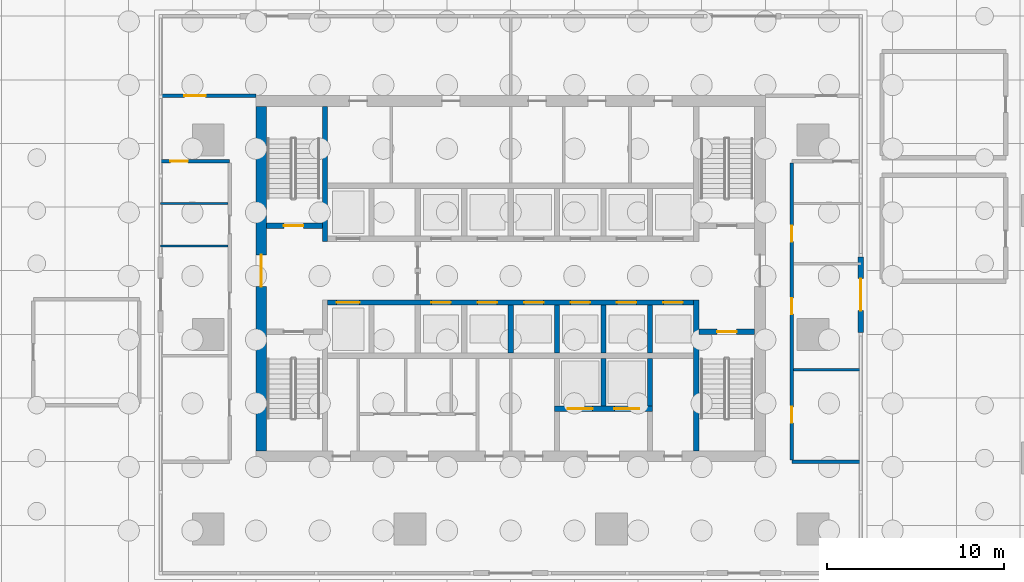
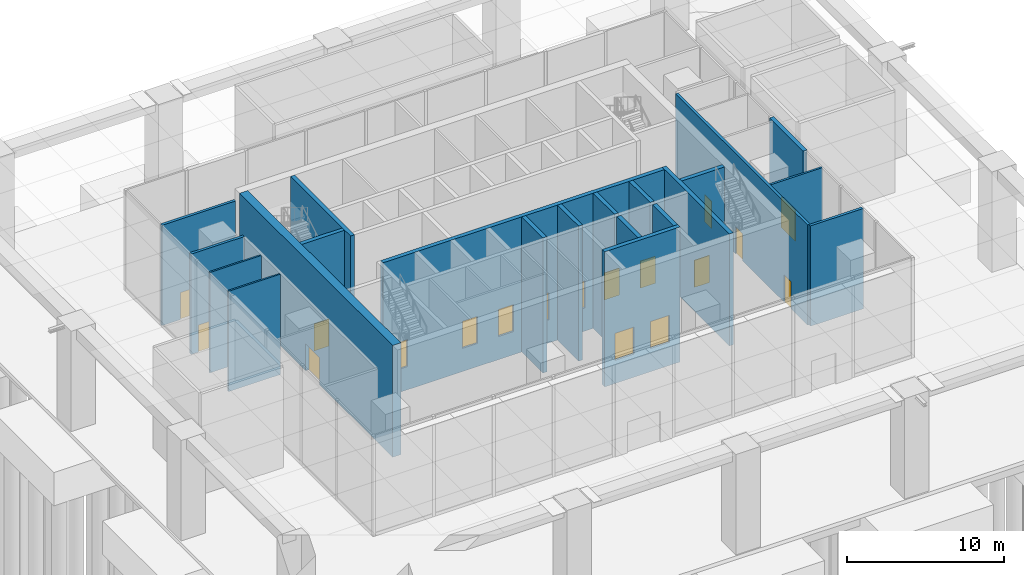
# One storey, part 7 of 18: 21 walls, 18 doors, 18 openings.
"""IFC4 building model written with IfcOpenShell, lengths in metres."""

from ifc_helpers import new_model, si_unit, direction, frame, frame_2d, origin, place, context, subcontext, project, spatial, rectangle, extrude, material, layer, layer_set, type_object, element, fill, save


model = new_model("IFC4")

# Units and contexts
model_context = context("Model", 3, precision=1e-05, world=origin(), true_north=direction((0.0, 1.0)))
body_context = subcontext(model_context, "Body", "Model", "MODEL_VIEW")
ifc_project = project(units=[si_unit("LENGTHUNIT", "METRE"), si_unit("AREAUNIT", "SQUARE_METRE"), si_unit("VOLUMEUNIT", "CUBIC_METRE"), si_unit("PLANEANGLEUNIT", "RADIAN"), si_unit("MASSUNIT", "GRAM", prefix="KILO")], contexts=[model_context])

# Site, building, storey
site_placement = place(None, origin())
site = spatial("IfcSite", under=ifc_project, at=site_placement, CompositionType="ELEMENT")
building_placement = place(site_placement, origin())
building = spatial("IfcBuilding", under=site, at=building_placement, Name="Mopane Tessera Tower", CompositionType="ELEMENT")
storey_placement = place(building_placement, origin())
storey = spatial("IfcBuildingStorey", under=building, at=storey_placement, Name="L00", CompositionType="ELEMENT", Elevation=0.0)

# Wall, opening, door
ifc_material_1 = material(Name="Concrete C70/85", Category="concrete")
ifc_layer_1 = layer(ifc_material_1, 0.60009765625)
ifc_layer_set_1 = layer_set([ifc_layer_1], Name="Concrete C70/85")
wall_type_1 = type_object("IfcWallType", Name="Core shear wall 600 mm", PredefinedType="SHEAR", material=ifc_layer_set_1)
wall_1_placement = place(storey_placement, frame((-14.10009765625, -6.60009765625, 0.0), z_axis=(0.0, 0.0, 1.0), x_axis=(0.0, 1.0, 0.0)))
wall_1 = element("IfcWall", 1, at=wall_1_placement, inside=storey, type_object=wall_type_1, Name="L00 Core wall west", PredefinedType="SHEAR", context=body_context, shape_type="SweptSolid", body=[
    extrude(rectangle(XDim=19.5, YDim=0.60009765625, at=frame_2d((9.75, 0.0))), origin(), (0.0, 0.0, 1.0), 8.699951171875),
])
opening_1_placement = place(wall_1_placement, frame((9.300048828125, 0.0, 0.0)))
opening_1 = element("IfcOpeningElement", 2, at=opening_1_placement, cuts=wall_1, Name="Opening SD2", PredefinedType="OPENING", context=body_context, shape_type="SweptSolid", body=[
    extrude(rectangle(XDim=1.800048828125, YDim=2.10009765625, at=frame_2d((0.89990234375, 1.050048828125))), frame((0.0, 0.31201171875, 0.0), z_axis=(0.0, -1.0, 0.0), x_axis=(1.0, 0.0, 0.0)), (0.0, 0.0, 1.0), 0.6240234375),
])
ifc_material_2 = material(Name="Steel fire door", Category="steel")
door_type_1 = type_object("IfcDoorType", Name="Core entrance double door 1800 x 2100", OperationType="DOUBLE_DOOR_SINGLE_SWING", PredefinedType="DOOR", material=ifc_material_2)
door_1_placement = place(opening_1_placement, origin())
door_1 = element("IfcDoor", 3, at=door_1_placement, inside=storey, type_object=door_type_1, Name="L00 Core entrance door west", OperationType="DOUBLE_DOOR_SINGLE_SWING", OverallHeight=2.10009765625, OverallWidth=1.800048828125, PredefinedType="DOOR", context=body_context, shape_type="SweptSolid", body=[
    extrude(rectangle(XDim=1.800048828125, YDim=2.10009765625, at=frame_2d((0.89990234375, 1.050048828125))), frame((0.0, 0.02490234375, 0.0), z_axis=(0.0, -1.0, 0.0), x_axis=(1.0, 0.0, 0.0)), (0.0, 0.0, 1.0), 0.050048828125),
])
fill(opening_1, door_1)

# Walls
ifc_material_3 = material(Name="Concrete C60/75", Category="concrete")
ifc_layer_2 = layer(ifc_material_3, 0.300048828125)
ifc_layer_set_2 = layer_set([ifc_layer_2], Name="Concrete C60/75")
wall_type_2 = type_object("IfcWallType", Name="Core spine wall 300 mm", PredefinedType="SHEAR", material=ifc_layer_set_2)
wall_2_placement = place(storey_placement, frame((-10.5, 5.25, 0.0), z_axis=(0.0, 0.0, 1.0), x_axis=(0.0, 1.0, 0.0)))
element("IfcWall", 4, at=wall_2_placement, inside=storey, type_object=wall_type_2, Name="L00 Core spine wall", PredefinedType="SHEAR", context=body_context, shape_type="SweptSolid", body=[
    extrude(rectangle(XDim=7.64990234375, YDim=0.300048828125, at=frame_2d((3.824951171875, 0.0))), origin(), (0.0, 0.0, 1.0), 8.699951171875),
])
wall_3_placement = place(storey_placement, frame((10.5, -6.60009765625, 0.0), z_axis=(0.0, 0.0, 1.0), x_axis=(0.0, 1.0, 0.0)))
element("IfcWall", 5, at=wall_3_placement, inside=storey, type_object=wall_type_2, Name="L00 Core spine wall", PredefinedType="SHEAR", context=body_context, shape_type="SweptSolid", body=[
    extrude(rectangle(XDim=8.550048828125, YDim=0.300048828125, at=frame_2d((4.27490234375, 0.0))), origin(), (0.0, 0.0, 1.0), 8.699951171875),
])
ifc_material_4 = material(Name="Gypsum board on steel studs, two layers each face, mineral wool infill", Category="steel")
ifc_layer_3 = layer(ifc_material_4, 0.199951171875)
ifc_layer_set_3 = layer_set([ifc_layer_3], Name="Gypsum board on steel studs, two layers each face, mineral wool infill")
wall_type_3 = type_object("IfcWallType", Name="Gypsum board corridor wall 200, rated EI 60", PredefinedType="PARTITIONING", material=ifc_layer_set_3)
wall_4_placement = place(storey_placement, frame((15.89990234375, -7.199951171875, 0.0), z_axis=(0.0, 0.0, 1.0), x_axis=(1.0, 0.0, 0.0)))
element("IfcWall", 6, at=wall_4_placement, inside=storey, type_object=wall_type_3, Name="Partition L00:001", PredefinedType="PARTITIONING", context=body_context, shape_type="SweptSolid", body=[
    extrude(rectangle(XDim=3.900146484375, YDim=0.199951171875, at=frame_2d((1.9501953125, 0.0))), origin(), (0.0, 0.0, 1.0), 7.800048828125),
])

# Wall, opening, door
wall_5_placement = place(storey_placement, frame((-19.800048828125, 9.800048828125, 0.0), z_axis=(0.0, 0.0, 1.0), x_axis=(1.0, 0.0, 0.0)))
wall_5 = element("IfcWall", 7, at=wall_5_placement, inside=storey, type_object=wall_type_3, Name="Partition L00:012", PredefinedType="PARTITIONING", context=body_context, shape_type="SweptSolid", body=[
    extrude(rectangle(XDim=3.900146484375, YDim=0.199951171875, at=frame_2d((1.9501953125, 0.0))), origin(), (0.0, 0.0, 1.0), 7.800048828125),
])
opening_2_placement = place(wall_5_placement, frame((0.550048828125, 0.0, 0.0)))
opening_2 = element("IfcOpeningElement", 8, at=opening_2_placement, cuts=wall_5, Name="Opening L00-02", PredefinedType="OPENING", context=body_context, shape_type="SweptSolid", body=[
    extrude(rectangle(XDim=1.0, YDim=2.10009765625, at=frame_2d((0.5, 1.050048828125))), frame((0.0, 0.112060546875, 0.0), z_axis=(0.0, -1.0, 0.0), x_axis=(1.0, 0.0, 0.0)), (0.0, 0.0, 1.0), 0.223876953125),
])
ifc_material_5 = material(Name="Timber veneered steel-framed fire door", Category="steel")
door_type_2 = type_object("IfcDoorType", Name="Fire door FD60 1000 x 2100", OperationType="SINGLE_SWING_LEFT", PredefinedType="DOOR", material=ifc_material_5)
door_2_placement = place(opening_2_placement, origin())
door_2 = element("IfcDoor", 9, at=door_2_placement, inside=storey, type_object=door_type_2, Name="Door L00-02", ObjectType="D12A", OperationType="SINGLE_SWING_RIGHT", OverallHeight=2.10009765625, OverallWidth=1.0, PredefinedType="DOOR", context=body_context, shape_type="SweptSolid", body=[
    extrude(rectangle(XDim=1.0, YDim=2.10009765625, at=frame_2d((0.5, 1.050048828125))), frame((0.0, 0.02490234375, 0.0), z_axis=(0.0, -1.0, 0.0), x_axis=(1.0, 0.0, 0.0)), (0.0, 0.0, 1.0), 0.050048828125),
])
fill(opening_2, door_2)

wall_6_placement = place(storey_placement, frame((-19.800048828125, 13.5, 0.0), z_axis=(0.0, 0.0, 1.0), x_axis=(1.0, 0.0, 0.0)))
wall_6 = element("IfcWall", 10, at=wall_6_placement, inside=storey, type_object=wall_type_3, Name="Partition L00:015", PredefinedType="PARTITIONING", context=body_context, shape_type="SweptSolid", body=[
    extrude(rectangle(XDim=5.400146484375, YDim=0.199951171875, at=frame_2d((2.7001953125, 0.0))), origin(), (0.0, 0.0, 1.0), 7.800048828125),
])
opening_3_placement = place(wall_6_placement, frame((1.35009765625, 0.0, 0.0)))
opening_3 = element("IfcOpeningElement", 11, at=opening_3_placement, cuts=wall_6, Name="Opening L00-12", PredefinedType="OPENING", context=body_context, shape_type="SweptSolid", body=[
    extrude(rectangle(XDim=1.199951171875, YDim=2.10009765625, at=frame_2d((0.60009765625, 1.050048828125))), frame((0.0, 0.112060546875, 0.0), z_axis=(0.0, -1.0, 0.0), x_axis=(1.0, 0.0, 0.0)), (0.0, 0.0, 1.0), 0.223876953125),
])
ifc_material_6 = material(Name="Timber veneered steel-framed fire door", Category="steel")
door_type_3 = type_object("IfcDoorType", Name="Fire door FD60 1200 x 2100", OperationType="SINGLE_SWING_LEFT", PredefinedType="DOOR", material=ifc_material_6)
door_3_placement = place(opening_3_placement, origin())
door_3 = element("IfcDoor", 12, at=door_3_placement, inside=storey, type_object=door_type_3, Name="Door L00-12", ObjectType="D15A", OperationType="SINGLE_SWING_LEFT", OverallHeight=2.10009765625, OverallWidth=1.199951171875, PredefinedType="DOOR", context=body_context, shape_type="SweptSolid", body=[
    extrude(rectangle(XDim=1.199951171875, YDim=2.10009765625, at=frame_2d((0.60009765625, 1.050048828125))), frame((0.0, 0.02490234375, 0.0), z_axis=(0.0, -1.0, 0.0), x_axis=(1.0, 0.0, 0.0)), (0.0, 0.0, 1.0), 0.050048828125),
])
fill(opening_3, door_3)

# Wall, openings, doors
wall_7_placement = place(storey_placement, frame((15.89990234375, -7.10009765625, 0.0), z_axis=(0.0, 0.0, 1.0), x_axis=(0.0, 1.0, 0.0)))
wall_7 = element("IfcWall", 13, at=wall_7_placement, inside=storey, type_object=wall_type_3, Name="Partition L00:026", PredefinedType="PARTITIONING", context=body_context, shape_type="SweptSolid", body=[
    extrude(rectangle(XDim=16.800048828125, YDim=0.199951171875, at=frame_2d((8.39990234375, 0.0))), origin(), (0.0, 0.0, 1.0), 7.800048828125),
])
opening_4_placement = place(wall_7_placement, frame((8.25, 0.0, 0.0)))
opening_4 = element("IfcOpeningElement", 14, at=opening_4_placement, cuts=wall_7, Name="Opening L00-04", PredefinedType="OPENING", context=body_context, shape_type="SweptSolid", body=[
    extrude(rectangle(XDim=0.89990234375, YDim=2.10009765625, at=frame_2d((0.449951171875, 1.050048828125))), frame((0.0, 0.112060546875, 0.0), z_axis=(0.0, -1.0, 0.0), x_axis=(1.0, 0.0, 0.0)), (0.0, 0.0, 1.0), 0.223876953125),
])
opening_5_placement = place(wall_7_placement, frame((2.10009765625, 0.0, 0.0)))
opening_5 = element("IfcOpeningElement", 15, at=opening_5_placement, cuts=wall_7, Name="Opening L00-05", PredefinedType="OPENING", context=body_context, shape_type="SweptSolid", body=[
    extrude(rectangle(XDim=0.89990234375, YDim=2.10009765625, at=frame_2d((0.449951171875, 1.050048828125))), frame((0.0, 0.112060546875, 0.0), z_axis=(0.0, -1.0, 0.0), x_axis=(1.0, 0.0, 0.0)), (0.0, 0.0, 1.0), 0.223876953125),
])
opening_6_placement = place(wall_7_placement, frame((12.35009765625, 0.0, 0.0)))
opening_6 = element("IfcOpeningElement", 16, at=opening_6_placement, cuts=wall_7, Name="Opening L00-14", PredefinedType="OPENING", context=body_context, shape_type="SweptSolid", body=[
    extrude(rectangle(XDim=0.89990234375, YDim=2.10009765625, at=frame_2d((0.449951171875, 1.050048828125))), frame((0.0, 0.112060546875, 0.0), z_axis=(0.0, -1.0, 0.0), x_axis=(1.0, 0.0, 0.0)), (0.0, 0.0, 1.0), 0.223876953125),
])
ifc_material_7 = material(Name="Timber veneered steel-framed fire door", Category="steel")
door_type_4 = type_object("IfcDoorType", Name="Fire door FD60 900 x 2100", OperationType="SINGLE_SWING_LEFT", PredefinedType="DOOR", material=ifc_material_7)
door_4_placement = place(opening_4_placement, origin())
door_4 = element("IfcDoor", 17, at=door_4_placement, inside=storey, type_object=door_type_4, Name="Door L00-04", ObjectType="D10A", OperationType="SINGLE_SWING_RIGHT", OverallHeight=2.10009765625, OverallWidth=0.89990234375, PredefinedType="DOOR", context=body_context, shape_type="SweptSolid", body=[
    extrude(rectangle(XDim=0.89990234375, YDim=2.10009765625, at=frame_2d((0.449951171875, 1.050048828125))), frame((0.0, 0.02490234375, 0.0), z_axis=(0.0, -1.0, 0.0), x_axis=(1.0, 0.0, 0.0)), (0.0, 0.0, 1.0), 0.050048828125),
])
fill(opening_4, door_4)
door_5_placement = place(opening_5_placement, origin())
door_5 = element("IfcDoor", 18, at=door_5_placement, inside=storey, type_object=door_type_4, Name="Door L00-05", ObjectType="D10A", OperationType="SINGLE_SWING_LEFT", OverallHeight=2.10009765625, OverallWidth=0.89990234375, PredefinedType="DOOR", context=body_context, shape_type="SweptSolid", body=[
    extrude(rectangle(XDim=0.89990234375, YDim=2.10009765625, at=frame_2d((0.449951171875, 1.050048828125))), frame((0.0, 0.02490234375, 0.0), z_axis=(0.0, -1.0, 0.0), x_axis=(1.0, 0.0, 0.0)), (0.0, 0.0, 1.0), 0.050048828125),
])
fill(opening_5, door_5)
door_6_placement = place(opening_6_placement, origin())
door_6 = element("IfcDoor", 19, at=door_6_placement, inside=storey, type_object=door_type_4, Name="Door L00-14", ObjectType="D10A", OperationType="SINGLE_SWING_RIGHT", OverallHeight=2.10009765625, OverallWidth=0.89990234375, PredefinedType="DOOR", context=body_context, shape_type="SweptSolid", body=[
    extrude(rectangle(XDim=0.89990234375, YDim=2.10009765625, at=frame_2d((0.449951171875, 1.050048828125))), frame((0.0, 0.02490234375, 0.0), z_axis=(0.0, -1.0, 0.0), x_axis=(1.0, 0.0, 0.0)), (0.0, 0.0, 1.0), 0.050048828125),
])
fill(opening_6, door_6)

# Walls
ifc_material_8 = material(Name="Gypsum board on steel studs, mineral wool infill", Category="steel")
ifc_layer_4 = layer(ifc_material_8, 0.14990234375)
ifc_layer_set_4 = layer_set([ifc_layer_4], Name="Gypsum board on steel studs, mineral wool infill")
wall_type_4 = type_object("IfcWallType", Name="Gypsum board partition 150, rated EI 60", PredefinedType="PARTITIONING", material=ifc_layer_set_4)
wall_8_placement = place(storey_placement, frame((16.0, -2.0, 0.0), z_axis=(0.0, 0.0, 1.0), x_axis=(1.0, 0.0, 0.0)))
element("IfcWall", 20, at=wall_8_placement, inside=storey, type_object=wall_type_4, Name="Partition L00:003", PredefinedType="PARTITIONING", context=body_context, shape_type="SweptSolid", body=[
    extrude(rectangle(XDim=3.800048828125, YDim=0.14990234375, at=frame_2d((1.89990234375, 0.0))), origin(), (0.0, 0.0, 1.0), 7.800048828125),
])
ifc_material_9 = material(Name="Moisture-resistant gypsum board on steel studs, mineral wool infill", Category="steel")
ifc_layer_5 = layer(ifc_material_9, 0.125)
ifc_layer_set_5 = layer_set([ifc_layer_5], Name="Moisture-resistant gypsum board on steel studs, mineral wool infill")
wall_type_5 = type_object("IfcWallType", Name="Gypsum board wet-area partition 125, rated EI 60", PredefinedType="PARTITIONING", material=ifc_layer_set_5)
for number, where, z_axis, x_axis, name in (
    (21, (-19.800048828125, 5.0, 0.0), (0.0, 0.0, 1.0), (1.0, 0.0, 0.0), "Partition L00:008"),
    (22, (-19.800048828125, 7.39990234375, 0.0), (0.0, 0.0, 1.0), (1.0, 0.0, 0.0), "Partition L00:009"),
):
    element("IfcWall", number, at=place(storey_placement, frame(where, z_axis=z_axis, x_axis=x_axis)), inside=storey, type_object=wall_type_5, Name=name, PredefinedType="PARTITIONING", context=body_context, shape_type="SweptSolid", body=[
        extrude(rectangle(XDim=3.800048828125, YDim=0.125, at=frame_2d((1.89990234375, 0.0))), origin(), (0.0, 0.0, 1.0), 7.800048828125),
    ])

# Wall, opening, door
ifc_material_10 = material(Name="Concrete C50/60", Category="concrete")
ifc_layer_6 = layer(ifc_material_10, 0.300048828125)
ifc_layer_set_6 = layer_set([ifc_layer_6], Name="Concrete C50/60")
wall_type_6 = type_object("IfcWallType", Name="Lift and stair shaft wall 300 mm", PredefinedType="SOLIDWALL", material=ifc_layer_set_6)
wall_9_placement = place(storey_placement, frame((-13.800048828125, 6.14990234375, 0.0), z_axis=(0.0, 0.0, 1.0), x_axis=(1.0, 0.0, 0.0)))
wall_9 = element("IfcWall", 23, at=wall_9_placement, inside=storey, type_object=wall_type_6, Name="L00 Stair enclosure wall", PredefinedType="SOLIDWALL", context=body_context, shape_type="SweptSolid", body=[
    extrude(rectangle(XDim=3.150146484375, YDim=0.300048828125, at=frame_2d((1.5751953125, 0.0))), origin(), (0.0, 0.0, 1.0), 8.699951171875),
])
opening_7_placement = place(wall_9_placement, frame((0.97509765625, 0.0, 0.0)))
opening_7 = element("IfcOpeningElement", 24, at=opening_7_placement, cuts=wall_9, Name="Opening SD1", PredefinedType="OPENING", context=body_context, shape_type="SweptSolid", body=[
    extrude(rectangle(XDim=1.10009765625, YDim=2.10009765625, at=frame_2d((0.550048828125, 1.050048828125))), frame((0.0, 0.162109375, 0.0), z_axis=(0.0, -1.0, 0.0), x_axis=(1.0, 0.0, 0.0)), (0.0, 0.0, 1.0), 0.323974609375),
])
ifc_material_11 = material(Name="Steel fire door", Category="steel")
door_type_5 = type_object("IfcDoorType", Name="Stair fire door 1100 x 2100", OperationType="SINGLE_SWING_LEFT", PredefinedType="DOOR", material=ifc_material_11)
door_7_placement = place(opening_7_placement, origin())
door_7 = element("IfcDoor", 25, at=door_7_placement, inside=storey, type_object=door_type_5, Name="L00 Stair door ST2", OperationType="SINGLE_SWING_LEFT", OverallHeight=2.10009765625, OverallWidth=1.10009765625, PredefinedType="DOOR", context=body_context, shape_type="SweptSolid", body=[
    extrude(rectangle(XDim=1.10009765625, YDim=2.10009765625, at=frame_2d((0.550048828125, 1.050048828125))), frame((0.0, 0.02490234375, 0.0), z_axis=(0.0, -1.0, 0.0), x_axis=(1.0, 0.0, 0.0)), (0.0, 0.0, 1.0), 0.050048828125),
])
fill(opening_7, door_7)

wall_10_placement = place(storey_placement, frame((10.64990234375, 0.14990234375, 0.0), z_axis=(0.0, 0.0, 1.0), x_axis=(1.0, 0.0, 0.0)))
wall_10 = element("IfcWall", 26, at=wall_10_placement, inside=storey, type_object=wall_type_6, Name="L00 Stair enclosure wall", PredefinedType="SOLIDWALL", context=body_context, shape_type="SweptSolid", body=[
    extrude(rectangle(XDim=3.150146484375, YDim=0.300048828125, at=frame_2d((1.5751953125, 0.0))), origin(), (0.0, 0.0, 1.0), 8.699951171875),
])
opening_8_placement = place(wall_10_placement, frame((1.02490234375, 0.0, 0.0)))
opening_8 = element("IfcOpeningElement", 27, at=opening_8_placement, cuts=wall_10, Name="Opening SD1", PredefinedType="OPENING", context=body_context, shape_type="SweptSolid", body=[
    extrude(rectangle(XDim=1.10009765625, YDim=2.10009765625, at=frame_2d((0.550048828125, 1.050048828125))), frame((0.0, 0.162109375, 0.0), z_axis=(0.0, -1.0, 0.0), x_axis=(1.0, 0.0, 0.0)), (0.0, 0.0, 1.0), 0.323974609375),
])
door_8_placement = place(opening_8_placement, origin())
door_8 = element("IfcDoor", 28, at=door_8_placement, inside=storey, type_object=door_type_5, Name="L00 Stair door ST3", OperationType="SINGLE_SWING_RIGHT", OverallHeight=2.10009765625, OverallWidth=1.10009765625, PredefinedType="DOOR", context=body_context, shape_type="SweptSolid", body=[
    extrude(rectangle(XDim=1.10009765625, YDim=2.10009765625, at=frame_2d((0.550048828125, 1.050048828125))), frame((0.0, 0.02490234375, 0.0), z_axis=(0.0, -1.0, 0.0), x_axis=(1.0, 0.0, 0.0)), (0.0, 0.0, 1.0), 0.050048828125),
])
fill(opening_8, door_8)

# Wall, openings, doors
wall_11_placement = place(storey_placement, frame((-10.35009765625, 1.800048828125, -1.800048828125), z_axis=(0.0, 0.0, 1.0), x_axis=(1.0, 0.0, 0.0)))
wall_11 = element("IfcWall", 29, at=wall_11_placement, inside=storey, type_object=wall_type_6, Name="L00 Lift shaft front wall", PredefinedType="SOLIDWALL", context=body_context, shape_type="SweptSolid", body=[
    extrude(rectangle(XDim=20.7001953125, YDim=0.300048828125, at=frame_2d((10.35009765625, 0.0))), origin(), (0.0, 0.0, 1.0), 10.5),
])
opening_9_placement = place(wall_11_placement, frame((0.512451171875, 0.0, 1.800048828125)))
opening_9 = element("IfcOpeningElement", 30, at=opening_9_placement, cuts=wall_11, Name="Opening LD2", PredefinedType="OPENING", context=body_context, shape_type="SweptSolid", body=[
    extrude(rectangle(XDim=1.300048828125, YDim=2.10009765625, at=frame_2d((0.64990234375, 1.050048828125))), frame((0.0, 0.162109375, 0.0), z_axis=(0.0, -1.0, 0.0), x_axis=(1.0, 0.0, 0.0)), (0.0, 0.0, 1.0), 0.323974609375),
])
opening_10_placement = place(wall_11_placement, frame((5.862548828125, 0.0, 1.800048828125)))
opening_10 = element("IfcOpeningElement", 31, at=opening_10_placement, cuts=wall_11, Name="Opening LD", PredefinedType="OPENING", context=body_context, shape_type="SweptSolid", body=[
    extrude(rectangle(XDim=1.10009765625, YDim=2.10009765625, at=frame_2d((0.550048828125, 1.050048828125))), frame((0.0, 0.162109375, 0.0), z_axis=(0.0, -1.0, 0.0), x_axis=(1.0, 0.0, 0.0)), (0.0, 0.0, 1.0), 0.323974609375),
])
opening_11_placement = place(wall_11_placement, frame((8.487548828125, 0.0, 1.800048828125)))
opening_11 = element("IfcOpeningElement", 32, at=opening_11_placement, cuts=wall_11, Name="Opening LD", PredefinedType="OPENING", context=body_context, shape_type="SweptSolid", body=[
    extrude(rectangle(XDim=1.10009765625, YDim=2.10009765625, at=frame_2d((0.550048828125, 1.050048828125))), frame((0.0, 0.162109375, 0.0), z_axis=(0.0, -1.0, 0.0), x_axis=(1.0, 0.0, 0.0)), (0.0, 0.0, 1.0), 0.323974609375),
])
opening_12_placement = place(wall_11_placement, frame((11.112548828125, 0.0, 1.800048828125)))
opening_12 = element("IfcOpeningElement", 33, at=opening_12_placement, cuts=wall_11, Name="Opening LD", PredefinedType="OPENING", context=body_context, shape_type="SweptSolid", body=[
    extrude(rectangle(XDim=1.10009765625, YDim=2.10009765625, at=frame_2d((0.550048828125, 1.050048828125))), frame((0.0, 0.162109375, 0.0), z_axis=(0.0, -1.0, 0.0), x_axis=(1.0, 0.0, 0.0)), (0.0, 0.0, 1.0), 0.323974609375),
])
opening_13_placement = place(wall_11_placement, frame((13.737548828125, 0.0, 1.800048828125)))
opening_13 = element("IfcOpeningElement", 34, at=opening_13_placement, cuts=wall_11, Name="Opening LD", PredefinedType="OPENING", context=body_context, shape_type="SweptSolid", body=[
    extrude(rectangle(XDim=1.10009765625, YDim=2.10009765625, at=frame_2d((0.550048828125, 1.050048828125))), frame((0.0, 0.162109375, 0.0), z_axis=(0.0, -1.0, 0.0), x_axis=(1.0, 0.0, 0.0)), (0.0, 0.0, 1.0), 0.323974609375),
])
opening_14_placement = place(wall_11_placement, frame((16.362548828125, 0.0, 1.800048828125)))
opening_14 = element("IfcOpeningElement", 35, at=opening_14_placement, cuts=wall_11, Name="Opening LD", PredefinedType="OPENING", context=body_context, shape_type="SweptSolid", body=[
    extrude(rectangle(XDim=1.10009765625, YDim=2.10009765625, at=frame_2d((0.550048828125, 1.050048828125))), frame((0.0, 0.162109375, 0.0), z_axis=(0.0, -1.0, 0.0), x_axis=(1.0, 0.0, 0.0)), (0.0, 0.0, 1.0), 0.323974609375),
])
opening_15_placement = place(wall_11_placement, frame((18.987548828125, 0.0, 1.800048828125)))
opening_15 = element("IfcOpeningElement", 36, at=opening_15_placement, cuts=wall_11, Name="Opening LD", PredefinedType="OPENING", context=body_context, shape_type="SweptSolid", body=[
    extrude(rectangle(XDim=1.10009765625, YDim=2.10009765625, at=frame_2d((0.550048828125, 1.050048828125))), frame((0.0, 0.162109375, 0.0), z_axis=(0.0, -1.0, 0.0), x_axis=(1.0, 0.0, 0.0)), (0.0, 0.0, 1.0), 0.323974609375),
])
ifc_material_12 = material(Name="Stainless steel sliding door", Category="steel")
door_type_6 = type_object("IfcDoorType", Name="Fire-fighting lift landing door 1300 x 2100", OperationType="DOUBLE_DOOR_SLIDING", PredefinedType="DOOR", material=ifc_material_12)
door_9_placement = place(opening_9_placement, origin())
door_9 = element("IfcDoor", 37, at=door_9_placement, inside=storey, type_object=door_type_6, Name="L00 Lift landing door FF1", OperationType="DOUBLE_DOOR_SLIDING", OverallHeight=2.10009765625, OverallWidth=1.300048828125, PredefinedType="DOOR", context=body_context, shape_type="SweptSolid", body=[
    extrude(rectangle(XDim=1.300048828125, YDim=2.10009765625, at=frame_2d((0.64990234375, 1.050048828125))), frame((0.0, 0.02490234375, 0.0), z_axis=(0.0, -1.0, 0.0), x_axis=(1.0, 0.0, 0.0)), (0.0, 0.0, 1.0), 0.050048828125),
])
fill(opening_9, door_9)
ifc_material_13 = material(Name="Stainless steel sliding door", Category="steel")
door_type_7 = type_object("IfcDoorType", Name="Lift landing door 1100 x 2100", OperationType="DOUBLE_DOOR_SLIDING", PredefinedType="DOOR", material=ifc_material_13)
door_10_placement = place(opening_10_placement, origin())
door_10 = element("IfcDoor", 38, at=door_10_placement, inside=storey, type_object=door_type_7, Name="L00 Lift landing door LR1", OperationType="DOUBLE_DOOR_SLIDING", OverallHeight=2.10009765625, OverallWidth=1.10009765625, PredefinedType="DOOR", context=body_context, shape_type="SweptSolid", body=[
    extrude(rectangle(XDim=1.10009765625, YDim=2.10009765625, at=frame_2d((0.550048828125, 1.050048828125))), frame((0.0, 0.02490234375, 0.0), z_axis=(0.0, -1.0, 0.0), x_axis=(1.0, 0.0, 0.0)), (0.0, 0.0, 1.0), 0.050048828125),
])
fill(opening_10, door_10)
door_11_placement = place(opening_11_placement, origin())
door_11 = element("IfcDoor", 39, at=door_11_placement, inside=storey, type_object=door_type_7, Name="L00 Lift landing door LR2", OperationType="DOUBLE_DOOR_SLIDING", OverallHeight=2.10009765625, OverallWidth=1.10009765625, PredefinedType="DOOR", context=body_context, shape_type="SweptSolid", body=[
    extrude(rectangle(XDim=1.10009765625, YDim=2.10009765625, at=frame_2d((0.550048828125, 1.050048828125))), frame((0.0, 0.02490234375, 0.0), z_axis=(0.0, -1.0, 0.0), x_axis=(1.0, 0.0, 0.0)), (0.0, 0.0, 1.0), 0.050048828125),
])
fill(opening_11, door_11)
door_12_placement = place(opening_12_placement, origin())
door_12 = element("IfcDoor", 40, at=door_12_placement, inside=storey, type_object=door_type_7, Name="L00 Lift landing door LR3", OperationType="DOUBLE_DOOR_SLIDING", OverallHeight=2.10009765625, OverallWidth=1.10009765625, PredefinedType="DOOR", context=body_context, shape_type="SweptSolid", body=[
    extrude(rectangle(XDim=1.10009765625, YDim=2.10009765625, at=frame_2d((0.550048828125, 1.050048828125))), frame((0.0, 0.02490234375, 0.0), z_axis=(0.0, -1.0, 0.0), x_axis=(1.0, 0.0, 0.0)), (0.0, 0.0, 1.0), 0.050048828125),
])
fill(opening_12, door_12)
door_13_placement = place(opening_13_placement, origin())
door_13 = element("IfcDoor", 41, at=door_13_placement, inside=storey, type_object=door_type_7, Name="L00 Lift landing door LR4", OperationType="DOUBLE_DOOR_SLIDING", OverallHeight=2.10009765625, OverallWidth=1.10009765625, PredefinedType="DOOR", context=body_context, shape_type="SweptSolid", body=[
    extrude(rectangle(XDim=1.10009765625, YDim=2.10009765625, at=frame_2d((0.550048828125, 1.050048828125))), frame((0.0, 0.02490234375, 0.0), z_axis=(0.0, -1.0, 0.0), x_axis=(1.0, 0.0, 0.0)), (0.0, 0.0, 1.0), 0.050048828125),
])
fill(opening_13, door_13)
door_14_placement = place(opening_14_placement, origin())
door_14 = element("IfcDoor", 42, at=door_14_placement, inside=storey, type_object=door_type_7, Name="L00 Lift landing door LR5", OperationType="DOUBLE_DOOR_SLIDING", OverallHeight=2.10009765625, OverallWidth=1.10009765625, PredefinedType="DOOR", context=body_context, shape_type="SweptSolid", body=[
    extrude(rectangle(XDim=1.10009765625, YDim=2.10009765625, at=frame_2d((0.550048828125, 1.050048828125))), frame((0.0, 0.02490234375, 0.0), z_axis=(0.0, -1.0, 0.0), x_axis=(1.0, 0.0, 0.0)), (0.0, 0.0, 1.0), 0.050048828125),
])
fill(opening_14, door_14)
door_15_placement = place(opening_15_placement, origin())
door_15 = element("IfcDoor", 43, at=door_15_placement, inside=storey, type_object=door_type_7, Name="L00 Lift landing door LR6", OperationType="DOUBLE_DOOR_SLIDING", OverallHeight=2.10009765625, OverallWidth=1.10009765625, PredefinedType="DOOR", context=body_context, shape_type="SweptSolid", body=[
    extrude(rectangle(XDim=1.10009765625, YDim=2.10009765625, at=frame_2d((0.550048828125, 1.050048828125))), frame((0.0, 0.02490234375, 0.0), z_axis=(0.0, -1.0, 0.0), x_axis=(1.0, 0.0, 0.0)), (0.0, 0.0, 1.0), 0.050048828125),
])
fill(opening_15, door_15)

# Walls
for number, where, z_axis, x_axis, name in (
    (44, (0.0, -1.050048828125, -1.800048828125), (0.0, 0.0, 1.0), (0.0, 1.0, 0.0), "L00 Lift shaft wall"),
    (45, (2.625, -1.050048828125, -1.800048828125), (0.0, 0.0, 1.0), (0.0, 1.0, 0.0), "L00 Lift shaft wall"),
    (46, (5.25, -1.050048828125, -1.800048828125), (0.0, 0.0, 1.0), (0.0, 1.0, 0.0), "L00 Lift shaft wall"),
    (47, (7.875, -1.050048828125, -1.800048828125), (0.0, 0.0, 1.0), (0.0, 1.0, 0.0), "L00 Lift shaft wall"),
):
    element("IfcWall", number, at=place(storey_placement, frame(where, z_axis=z_axis, x_axis=x_axis)), inside=storey, type_object=wall_type_6, Name=name, PredefinedType="SOLIDWALL", context=body_context, shape_type="SweptSolid", body=[
        extrude(rectangle(XDim=2.699951171875, YDim=0.300048828125, at=frame_2d((1.35009765625, 0.0))), origin(), (0.0, 0.0, 1.0), 10.5),
    ])

# Wall, openings, doors
wall_12_placement = place(storey_placement, frame((2.47509765625, -4.199951171875, -1.800048828125), z_axis=(0.0, 0.0, 1.0), x_axis=(1.0, 0.0, 0.0)))
wall_12 = element("IfcWall", 48, at=wall_12_placement, inside=storey, type_object=wall_type_6, Name="L00 Lift shaft front wall", PredefinedType="SOLIDWALL", context=body_context, shape_type="SweptSolid", body=[
    extrude(rectangle(XDim=5.5498046875, YDim=0.300048828125, at=frame_2d((2.77490234375, 0.0))), origin(), (0.0, 0.0, 1.0), 10.5),
])
opening_16_placement = place(wall_12_placement, frame((0.762451171875, 0.0, 1.800048828125)))
opening_16 = element("IfcOpeningElement", 49, at=opening_16_placement, cuts=wall_12, Name="Opening LD3", PredefinedType="OPENING", context=body_context, shape_type="SweptSolid", body=[
    extrude(rectangle(XDim=1.39990234375, YDim=2.10009765625, at=frame_2d((0.699951171875, 1.050048828125))), frame((0.0, 0.162109375, 0.0), z_axis=(0.0, -1.0, 0.0), x_axis=(1.0, 0.0, 0.0)), (0.0, 0.0, 1.0), 0.323974609375),
])
opening_17_placement = place(wall_12_placement, frame((3.387451171875, 0.0, 1.800048828125)))
opening_17 = element("IfcOpeningElement", 50, at=opening_17_placement, cuts=wall_12, Name="Opening LD3", PredefinedType="OPENING", context=body_context, shape_type="SweptSolid", body=[
    extrude(rectangle(XDim=1.39990234375, YDim=2.10009765625, at=frame_2d((0.699951171875, 1.050048828125))), frame((0.0, 0.162109375, 0.0), z_axis=(0.0, -1.0, 0.0), x_axis=(1.0, 0.0, 0.0)), (0.0, 0.0, 1.0), 0.323974609375),
])
ifc_material_14 = material(Name="Stainless steel sliding door", Category="steel")
door_type_8 = type_object("IfcDoorType", Name="Service lift landing door 1400 x 2100", OperationType="DOUBLE_DOOR_SLIDING", PredefinedType="DOOR", material=ifc_material_14)
door_16_placement = place(opening_16_placement, origin())
door_16 = element("IfcDoor", 51, at=door_16_placement, inside=storey, type_object=door_type_8, Name="L00 Lift landing door SV1", OperationType="DOUBLE_DOOR_SLIDING", OverallHeight=2.10009765625, OverallWidth=1.39990234375, PredefinedType="DOOR", context=body_context, shape_type="SweptSolid", body=[
    extrude(rectangle(XDim=1.39990234375, YDim=2.10009765625, at=frame_2d((0.699951171875, 1.050048828125))), frame((0.0, 0.02490234375, 0.0), z_axis=(0.0, -1.0, 0.0), x_axis=(1.0, 0.0, 0.0)), (0.0, 0.0, 1.0), 0.050048828125),
])
fill(opening_16, door_16)
door_17_placement = place(opening_17_placement, origin())
door_17 = element("IfcDoor", 52, at=door_17_placement, inside=storey, type_object=door_type_8, Name="L00 Lift landing door SV2", OperationType="DOUBLE_DOOR_SLIDING", OverallHeight=2.10009765625, OverallWidth=1.39990234375, PredefinedType="DOOR", context=body_context, shape_type="SweptSolid", body=[
    extrude(rectangle(XDim=1.39990234375, YDim=2.10009765625, at=frame_2d((0.699951171875, 1.050048828125))), frame((0.0, 0.02490234375, 0.0), z_axis=(0.0, -1.0, 0.0), x_axis=(1.0, 0.0, 0.0)), (0.0, 0.0, 1.0), 0.050048828125),
])
fill(opening_17, door_17)

# Walls
for number, where, z_axis, x_axis, name in (
    (53, (5.25, -4.050048828125, -1.800048828125), (0.0, 0.0, 1.0), (0.0, 1.0, 0.0), "L00 Lift shaft wall"),
    (54, (7.875, -4.050048828125, -1.800048828125), (0.0, 0.0, 1.0), (0.0, 1.0, 0.0), "L00 Lift shaft wall"),
):
    element("IfcWall", number, at=place(storey_placement, frame(where, z_axis=z_axis, x_axis=x_axis)), inside=storey, type_object=wall_type_6, Name=name, PredefinedType="SOLIDWALL", context=body_context, shape_type="SweptSolid", body=[
        extrude(rectangle(XDim=2.699951171875, YDim=0.300048828125, at=frame_2d((1.35009765625, 0.0))), origin(), (0.0, 0.0, 1.0), 10.5),
    ])

# Wall, opening, door
ifc_material_15 = material(Name="Blockwork with glazed tile facing", Category="masonry")
ifc_layer_7 = layer(ifc_material_15, 0.300048828125)
ifc_layer_set_7 = layer_set([ifc_layer_7], Name="Blockwork with glazed tile facing")
wall_type_7 = type_object("IfcWallType", Name="Tile-clad portal wall 300", PredefinedType="STANDARD", material=ifc_layer_set_7)
wall_13_placement = place(storey_placement, frame((19.800048828125, 0.1142578125, 0.0), z_axis=(0.0, 0.0, 1.0), x_axis=(0.0, 1.0, 0.0)))
wall_13 = element("IfcWall", 55, at=wall_13_placement, inside=storey, type_object=wall_type_7, Name="e:pp:E:3", PredefinedType="STANDARD", context=body_context, shape_type="SweptSolid", body=[
    extrude(rectangle(XDim=4.271484375, YDim=0.300048828125, at=frame_2d((2.1357421875, 0.0))), origin(), (0.0, 0.0, 1.0), 7.800048828125),
])
opening_18_placement = place(wall_13_placement, frame((1.235595703125, 0.0, 0.0)))
opening_18 = element("IfcOpeningElement", 56, at=opening_18_placement, cuts=wall_13, Name="Opening PDE3", PredefinedType="OPENING", context=body_context, shape_type="SweptSolid", body=[
    extrude(rectangle(XDim=1.800048828125, YDim=2.39990234375, at=frame_2d((0.89990234375, 1.199951171875))), frame((0.0, 0.162109375, 0.0), z_axis=(0.0, -1.0, 0.0), x_axis=(1.0, 0.0, 0.0)), (0.0, 0.0, 1.0), 0.323974609375),
])
ifc_material_16 = material(Name="Aluminium and clear glass", Category="aluminium")
door_type_9 = type_object("IfcDoorType", Name="Entrance door 1800 x 2400", OperationType="DOUBLE_DOOR_SINGLE_SWING", PredefinedType="DOOR", material=ifc_material_16)
door_18_placement = place(opening_18_placement, origin())
door_18 = element("IfcDoor", 57, at=door_18_placement, inside=storey, type_object=door_type_9, Name="East entrance", ObjectType="D4", OperationType="DOUBLE_DOOR_SINGLE_SWING", OverallHeight=2.39990234375, OverallWidth=1.800048828125, PredefinedType="DOOR", context=body_context, shape_type="SweptSolid", body=[
    extrude(rectangle(XDim=1.800048828125, YDim=2.39990234375, at=frame_2d((0.89990234375, 1.199951171875))), frame((0.0, 0.02490234375, 0.0), z_axis=(0.0, -1.0, 0.0), x_axis=(1.0, 0.0, 0.0)), (0.0, 0.0, 1.0), 0.050048828125),
])
fill(opening_18, door_18)

save(model, "model.ifc")
